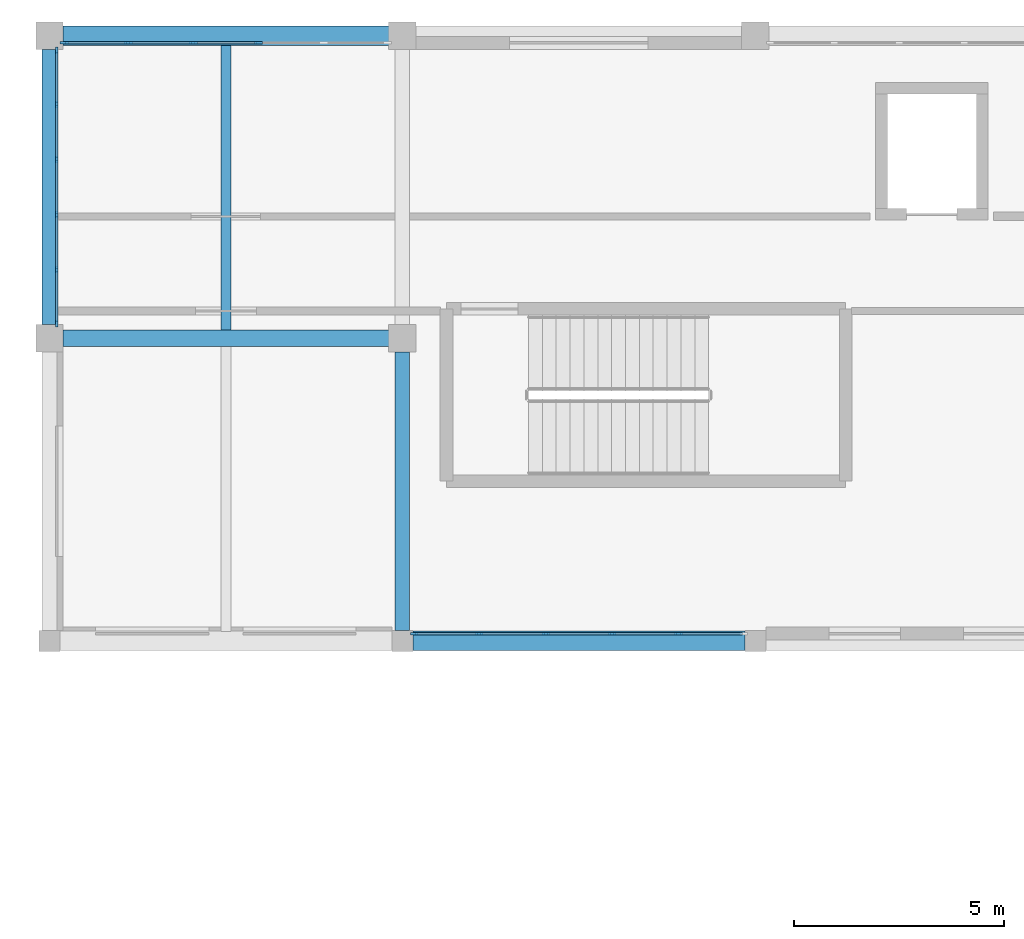
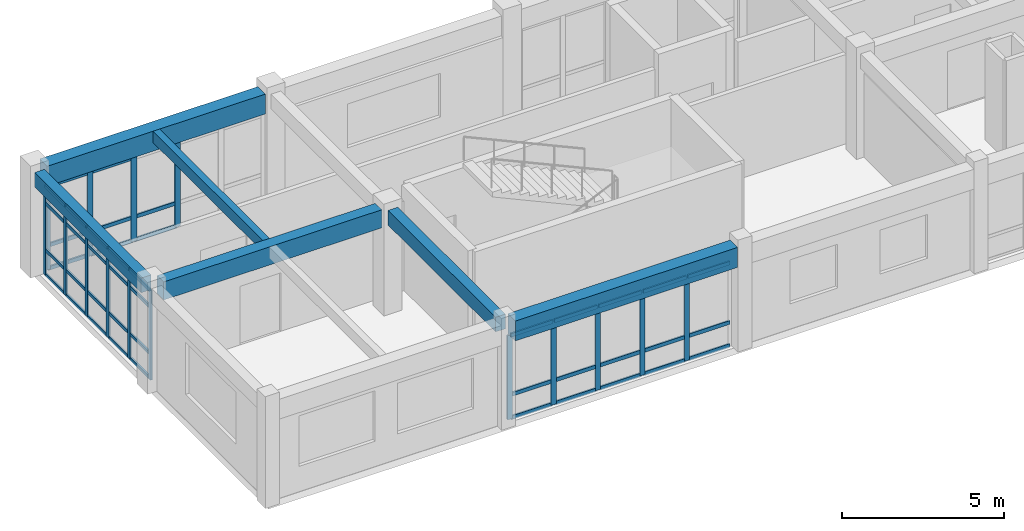
# One storey, part 34 of 89: 58 members, 6 beams, 3 elements without a shape of their own.
"""IFC4 building model written with IfcOpenShell, lengths in metres."""

import ifcopenshell
import ifcopenshell.guid

model = None  # the IFC model being written
_history = None  # IfcOwnerHistory: only IFC2X3 demands one
_inside = {}  # id of a spatial element -> (the spatial element, [elements in it])
_under = {}  # id of a project, library or spatial element -> (it, [spatial elements below it])
_declared = {}  # id of a project -> (the project, [libraries it declares])
_typed = {}  # id of a type object -> (the type object, [elements of that type])
_made_of = {}  # id of a material, layer set ... -> (it, [elements and type objects made of it])


def new_model(schema):
    """Start an empty IFC model of exactly this schema.

    Asked for "IFC4X3", IfcOpenShell would pick the latest addendum, in which some entities
    have other attributes; the version numbers below select the first issue.
    IFC2X3 requires an IfcOwnerHistory on every rooted entity: one is made here for all.
    """
    global model, _history
    if schema == "IFC4X3":
        model = ifcopenshell.file(schema_version=(4, 3, 0, 0))
    else:
        model = ifcopenshell.file(schema=schema)
    _inside.clear()
    _under.clear()
    _declared.clear()
    _typed.clear()
    _made_of.clear()
    _history = None
    if model.schema == "IFC2X3":
        org = make("IfcOrganization", Name="unknown")
        user = make(
            "IfcPersonAndOrganization",
            ThePerson=make("IfcPerson", FamilyName="unknown"),
            TheOrganization=org,
        )
        app = make(
            "IfcApplication",
            ApplicationDeveloper=org,
            Version="unknown",
            ApplicationFullName="unknown",
            ApplicationIdentifier="unknown",
        )
        _history = make(
            "IfcOwnerHistory",
            OwningUser=user,
            OwningApplication=app,
            ChangeAction="ADDED",
            CreationDate=0,
        )
    return model


def make(cls, **values):
    """One entity of the class cls with the attributes given. An attribute that is None is left unset."""
    return model.create_entity(
        cls, **{name: value for name, value in values.items() if value is not None}
    )


def rooted(cls, **values):
    """An entity with a GlobalId (a new one), such as an element, a storey or a relation."""
    return make(cls, GlobalId=ifcopenshell.guid.new(), OwnerHistory=_history, **values)


def si_unit(unit_type, name, prefix=None):
    """IfcSIUnit, for example si_unit("LENGTHUNIT", "METRE", prefix="MILLI")."""
    return make("IfcSIUnit", UnitType=unit_type, Prefix=prefix, Name=name)


def assignment(units):
    """IfcUnitAssignment: the units of a project."""
    return None if units is None else make("IfcUnitAssignment", Units=units)


def point(xyz):
    """IfcCartesianPoint."""
    return None if xyz is None else make("IfcCartesianPoint", Coordinates=xyz)


def direction(xyz):
    """IfcDirection."""
    return None if xyz is None else make("IfcDirection", DirectionRatios=xyz)


def frame(location, z_axis=None, x_axis=None):
    """IfcAxis2Placement3D, a coordinate frame: its origin and axes. An axis left out is left unset."""
    return make(
        "IfcAxis2Placement3D",
        Location=point(location),
        Axis=direction(z_axis),
        RefDirection=direction(x_axis),
    )


def frame_2d(location, x_axis=None):
    """IfcAxis2Placement2D, a coordinate frame in the plane: its origin and x axis."""
    return make(
        "IfcAxis2Placement2D", Location=point(location), RefDirection=direction(x_axis)
    )


def origin():
    """The frame at (0, 0, 0) with its axes left unset."""
    return frame((0.0, 0.0, 0.0))


def origin_2d():
    """The frame at (0, 0) in the plane with its x axis left unset."""
    return frame_2d((0.0, 0.0))


def place(relative_to, where):
    """IfcLocalPlacement: puts the frame where relative to a parent placement (None: the world)."""
    return make(
        "IfcLocalPlacement", PlacementRelTo=relative_to, RelativePlacement=where
    )


def context(
    kind, dimensions, precision=None, world=None, true_north=None, identifier=None
):
    """IfcGeometricRepresentationContext, for example the 3D "Model" context."""
    return make(
        "IfcGeometricRepresentationContext",
        ContextIdentifier=identifier,
        ContextType=kind,
        CoordinateSpaceDimension=dimensions,
        Precision=precision,
        WorldCoordinateSystem=world,
        TrueNorth=true_north,
    )


def subcontext(parent, identifier, kind, view, scale=None):
    """IfcGeometricRepresentationSubContext, for example "Body" below "Model"."""
    return make(
        "IfcGeometricRepresentationSubContext",
        ContextIdentifier=identifier,
        ContextType=kind,
        ParentContext=parent,
        TargetScale=scale,
        TargetView=view,
    )


def project(units=None, contexts=None):
    """IfcProject with its units and contexts."""
    return rooted(
        "IfcProject",
        Name="project",
        RepresentationContexts=contexts,
        UnitsInContext=assignment(units),
    )


def spatial(cls, under=None, at=None, **own):
    """A site, building, storey or space (cls), placed at a placement, below another one or the project."""
    s = rooted(cls, ObjectPlacement=at, **own)
    if under is not None:
        _under.setdefault(under.id(), (under, []))[1].append(s)
    return s


def profile(cls, at=None, kind="AREA", **sizes):
    """A parametric profile (cls). Its sizes go by their IFC names, for example OverallWidth=200.0."""
    return make(cls, ProfileType=kind, Position=at, **sizes)


def rectangle(**sizes):
    """IfcRectangleProfileDef."""
    return profile("IfcRectangleProfileDef", **sizes)


def extrude(swept, where, along, depth):
    """IfcExtrudedAreaSolid: the profile swept, set in the frame where, extruded along a direction by depth."""
    return make(
        "IfcExtrudedAreaSolid",
        SweptArea=swept,
        Position=where,
        ExtrudedDirection=direction(along),
        Depth=depth,
    )


def shape(context_of_items, identifier, shape_type, items):
    """IfcShapeRepresentation: the items that make up one representation, for example the "Body"."""
    return make(
        "IfcShapeRepresentation",
        ContextOfItems=context_of_items,
        RepresentationIdentifier=identifier,
        RepresentationType=shape_type,
        Items=items,
    )


def material(Name=None, Category=None):
    """IfcMaterial."""
    return make("IfcMaterial", Name=Name, Category=Category)


def material_profile(
    of_material, cross_section, Name=None, Category=None, Priority=None
):
    """IfcMaterialProfile: a cross section and its material."""
    return make(
        "IfcMaterialProfile",
        Name=Name,
        Material=of_material,
        Profile=cross_section,
        Priority=Priority,
        Category=Category,
    )


def profile_set(profiles, Name=None, composite=None):
    """IfcMaterialProfileSet."""
    return make(
        "IfcMaterialProfileSet",
        Name=Name,
        MaterialProfiles=profiles,
        CompositeProfile=composite,
    )


def made_of(thing, what):
    """Note that an element or type object is made of a material, layer set ...; save() writes the relation."""
    if what is not None:
        _made_of.setdefault(what.id(), (what, []))[1].append(thing)
    return thing


def type_object(cls, material=None, **own):
    """A type object (cls), such as IfcWallType, which elements share."""
    return made_of(rooted(cls, **own), material)


def element(
    cls,
    number,
    at=None,
    inside=None,
    cuts=None,
    type_object=None,
    material=None,
    context=None,
    identifier="Body",
    shape_type=None,
    held_by="IfcProductDefinitionShape",
    body=None,
    shapes=None,
    **own,
):
    """One element of the class cls, such as IfcWall. Its Tag is "e" and its number.

    at: its placement. inside: the storey or other place that contains it. cuts: it is an
    opening in that element (IfcRelVoidsElement). A single representation is given by context,
    identifier, shape_type and body (its items); several are given by shapes. held_by: the class
    of the entity that holds the representations. save() writes the other relations.
    """
    e = rooted(cls, Tag="e%d" % number, ObjectPlacement=at, **own)
    if body is not None:
        shapes = [shape(context, identifier, shape_type, body)]
    if shapes is not None:
        e.Representation = make(held_by, Representations=shapes)
    if inside is not None:
        _inside.setdefault(inside.id(), (inside, []))[1].append(e)
    if cuts is not None:
        rooted(
            "IfcRelVoidsElement", RelatingBuildingElement=cuts, RelatedOpeningElement=e
        )
    if type_object is not None:
        _typed.setdefault(type_object.id(), (type_object, []))[1].append(e)
    return made_of(e, material)


def aggregate(whole, parts):
    """IfcRelAggregates: a whole, such as a stair, and the parts it consists of."""
    return rooted("IfcRelAggregates", RelatingObject=whole, RelatedObjects=parts)


def save(model, path):
    """Write the relations noted so far, then the file.

    IfcRelAggregates (storeys below a building ...), IfcRelContainedInSpatialStructure (elements
    in a storey), IfcRelDefinesByType, IfcRelAssociatesMaterial and IfcRelDeclares: one each for
    every whole, place, type object, material and project.
    """
    for whole, parts in _under.values():
        aggregate(whole, parts)
    for where, things in _inside.values():
        rooted(
            "IfcRelContainedInSpatialStructure",
            RelatedElements=things,
            RelatingStructure=where,
        )
    for kind, things in _typed.values():
        rooted("IfcRelDefinesByType", RelatedObjects=things, RelatingType=kind)
    for what, things in _made_of.values():
        rooted("IfcRelAssociatesMaterial", RelatedObjects=things, RelatingMaterial=what)
    for by, libraries in _declared.values():
        rooted("IfcRelDeclares", RelatingContext=by, RelatedDefinitions=libraries)
    model.write(path)


model = new_model("IFC4")

# Units and contexts
model_context = context("Model", 3, precision=1e-05, world=origin(), true_north=direction((0.0, 1.0)))
body_context = subcontext(model_context, "Body", "Model", "MODEL_VIEW")
ifc_project = project(units=[si_unit("LENGTHUNIT", "METRE"), si_unit("AREAUNIT", "SQUARE_METRE"), si_unit("VOLUMEUNIT", "CUBIC_METRE"), si_unit("PLANEANGLEUNIT", "RADIAN"), si_unit("MASSUNIT", "GRAM", prefix="KILO")], contexts=[model_context])

# Site, building, storey
site_placement = place(None, origin())
site = spatial("IfcSite", under=ifc_project, at=site_placement, CompositionType="ELEMENT")
building_placement = place(site_placement, origin())
building = spatial("IfcBuilding", under=site, at=building_placement, Name="Malvenik Polytechnic", CompositionType="ELEMENT")
storey_placement = place(building_placement, frame((0.0, 0.0, 13.5)))
storey = spatial("IfcBuildingStorey", under=building, at=storey_placement, Name="L03", CompositionType="ELEMENT", Elevation=13.5)

# Curtain wall, members
ifc_material_1 = material(Name="Anodised aluminium 6060-T6", Category="aluminium")
curtain_wall_type_1 = type_object("IfcCurtainWallType", Name="ARC-CW-CW-05", PredefinedType="NOTDEFINED", material=ifc_material_1)
curtain_wall_1_placement = place(storey_placement, origin())
curtain_wall_1 = element("IfcCurtainWall", 1, at=curtain_wall_1_placement, inside=storey, type_object=curtain_wall_type_1, Name="Unitised Curtain Wall CW-05 L03 #173", PredefinedType="NOTDEFINED")
ifc_material_2 = material(Name="Anodised aluminium", Category="aluminium")
ifc_material_profile_1 = material_profile(ifc_material_2, rectangle(XDim=0.06005859375, YDim=0.159912109375, at=origin_2d()), Name="ALU MULLION 60x160")
ifc_profile_set_1 = profile_set([ifc_material_profile_1], Name="Anodised aluminium")
member_type_1 = type_object("IfcMemberType", Name="ARC-CWM-160", PredefinedType="MULLION", material=ifc_profile_set_1)
member_1_placement = place(storey_placement, frame((0.169921875, 122.7529296875, 0.0), z_axis=(0.0, 0.0, 1.0), x_axis=(-1.0, 0.0, 0.0)))
member_1 = element("IfcMember", 2, at=member_1_placement, type_object=member_type_1, Name="CW-05 mullion 1", PredefinedType="MULLION", context=body_context, shape_type="SweptSolid", body=[
    extrude(rectangle(XDim=0.06005859375, YDim=0.159912109375, at=origin_2d()), origin(), (0.0, 0.0, 1.0), 3.360107421875),
])
member_2_placement = place(storey_placement, frame((0.169921875, 124.03369140625, 0.0), z_axis=(0.0, 0.0, 1.0), x_axis=(-1.0, 0.0, 0.0)))
member_2 = element("IfcMember", 3, at=member_2_placement, type_object=member_type_1, Name="CW-05 mullion 2", PredefinedType="MULLION", context=body_context, shape_type="SweptSolid", body=[
    extrude(rectangle(XDim=0.06005859375, YDim=0.159912109375, at=origin_2d()), origin(), (0.0, 0.0, 1.0), 3.360107421875),
])
member_3_placement = place(storey_placement, frame((0.169921875, 125.344482421875, 0.0), z_axis=(0.0, 0.0, 1.0), x_axis=(-1.0, 0.0, 0.0)))
member_3 = element("IfcMember", 4, at=member_3_placement, type_object=member_type_1, Name="CW-05 mullion 3", PredefinedType="MULLION", context=body_context, shape_type="SweptSolid", body=[
    extrude(rectangle(XDim=0.06005859375, YDim=0.159912109375, at=origin_2d()), origin(), (0.0, 0.0, 1.0), 3.360107421875),
])
member_4_placement = place(storey_placement, frame((0.169921875, 126.655517578125, 0.0), z_axis=(0.0, 0.0, 1.0), x_axis=(-1.0, 0.0, 0.0)))
member_4 = element("IfcMember", 5, at=member_4_placement, type_object=member_type_1, Name="CW-05 mullion 4", PredefinedType="MULLION", context=body_context, shape_type="SweptSolid", body=[
    extrude(rectangle(XDim=0.06005859375, YDim=0.159912109375, at=origin_2d()), origin(), (0.0, 0.0, 1.0), 3.360107421875),
])
member_5_placement = place(storey_placement, frame((0.169921875, 127.96630859375, 0.0), z_axis=(0.0, 0.0, 1.0), x_axis=(-1.0, 0.0, 0.0)))
member_5 = element("IfcMember", 6, at=member_5_placement, type_object=member_type_1, Name="CW-05 mullion 5", PredefinedType="MULLION", context=body_context, shape_type="SweptSolid", body=[
    extrude(rectangle(XDim=0.06005859375, YDim=0.159912109375, at=origin_2d()), origin(), (0.0, 0.0, 1.0), 3.360107421875),
])
member_6_placement = place(storey_placement, frame((0.169921875, 129.2470703125, 0.0), z_axis=(0.0, 0.0, 1.0), x_axis=(-1.0, 0.0, 0.0)))
member_6 = element("IfcMember", 7, at=member_6_placement, type_object=member_type_1, Name="CW-05 mullion 6", PredefinedType="MULLION", context=body_context, shape_type="SweptSolid", body=[
    extrude(rectangle(XDim=0.06005859375, YDim=0.159912109375, at=origin_2d()), origin(), (0.0, 0.0, 1.0), 3.360107421875),
])

curtain_wall_type_2 = type_object("IfcCurtainWallType", Name="ARC-CW-CW-02", PredefinedType="NOTDEFINED", material=ifc_material_1)
curtain_wall_2_placement = place(storey_placement, origin())
curtain_wall_2 = element("IfcCurtainWall", 8, at=curtain_wall_2_placement, inside=storey, type_object=curtain_wall_type_2, Name="Unitised Curtain Wall CW-02 L03 #172", PredefinedType="NOTDEFINED")
ifc_material_profile_2 = material_profile(ifc_material_2, rectangle(XDim=0.06005859375, YDim=0.179931640625, at=origin_2d()), Name="ALU MULLION 60x180")
ifc_profile_set_2 = profile_set([ifc_material_profile_2], Name="Anodised aluminium")
member_type_2 = type_object("IfcMemberType", Name="ARC-CWM-180", PredefinedType="MULLION", material=ifc_profile_set_2)
member_7_placement = place(storey_placement, frame((14.97119140625, 115.3701171875, 0.0), z_axis=(0.0, 0.0, 1.0), x_axis=(0.0, -1.0, 0.0)))
member_7 = element("IfcMember", 9, at=member_7_placement, type_object=member_type_2, Name="CW-02 mullion 2", PredefinedType="MULLION", context=body_context, shape_type="SweptSolid", body=[
    extrude(rectangle(XDim=0.06005859375, YDim=0.179931640625, at=origin_2d()), origin(), (0.0, 0.0, 1.0), 3.159912109375),
])
member_8_placement = place(storey_placement, frame((13.390380859375, 115.3701171875, 0.0), z_axis=(0.0, 0.0, 1.0), x_axis=(0.0, -1.0, 0.0)))
member_8 = element("IfcMember", 10, at=member_8_placement, type_object=member_type_2, Name="CW-02 mullion 3", PredefinedType="MULLION", context=body_context, shape_type="SweptSolid", body=[
    extrude(rectangle(XDim=0.06005859375, YDim=0.179931640625, at=origin_2d()), origin(), (0.0, 0.0, 1.0), 3.159912109375),
])
member_9_placement = place(storey_placement, frame((11.8095703125, 115.3701171875, 0.0), z_axis=(0.0, 0.0, 1.0), x_axis=(0.0, -1.0, 0.0)))
member_9 = element("IfcMember", 11, at=member_9_placement, type_object=member_type_2, Name="CW-02 mullion 4", PredefinedType="MULLION", context=body_context, shape_type="SweptSolid", body=[
    extrude(rectangle(XDim=0.06005859375, YDim=0.179931640625, at=origin_2d()), origin(), (0.0, 0.0, 1.0), 3.159912109375),
])
member_10_placement = place(storey_placement, frame((10.228759765625, 115.3701171875, 0.0), z_axis=(0.0, 0.0, 1.0), x_axis=(0.0, -1.0, 0.0)))
member_10 = element("IfcMember", 12, at=member_10_placement, type_object=member_type_2, Name="CW-02 mullion 5", PredefinedType="MULLION", context=body_context, shape_type="SweptSolid", body=[
    extrude(rectangle(XDim=0.06005859375, YDim=0.179931640625, at=origin_2d()), origin(), (0.0, 0.0, 1.0), 3.159912109375),
])
member_11_placement = place(storey_placement, frame((8.677978515625, 115.3701171875, 0.0), z_axis=(0.0, 0.0, 1.0), x_axis=(0.0, -1.0, 0.0)))
member_11 = element("IfcMember", 13, at=member_11_placement, type_object=member_type_2, Name="CW-02 mullion 6", PredefinedType="MULLION", context=body_context, shape_type="SweptSolid", body=[
    extrude(rectangle(XDim=0.06005859375, YDim=0.179931640625, at=origin_2d()), origin(), (0.0, 0.0, 1.0), 3.159912109375),
])

curtain_wall_3_placement = place(storey_placement, origin())
curtain_wall_3 = element("IfcCurtainWall", 14, at=curtain_wall_3_placement, inside=storey, type_object=curtain_wall_type_2, Name="Unitised Curtain Wall CW-02 L03 #174", PredefinedType="NOTDEFINED")
ifc_material_profile_3 = material_profile(ifc_material_2, rectangle(XDim=0.06005859375, YDim=0.199951171875, at=origin_2d()), Name="ALU MULLION 60x200")
ifc_profile_set_3 = profile_set([ifc_material_profile_3], Name="Anodised aluminium")
member_type_3 = type_object("IfcMemberType", Name="ARC-CWM-200", PredefinedType="MULLION", material=ifc_profile_set_3)
member_12_placement = place(storey_placement, frame((0.35302734375, 129.429931640625, 0.0), z_axis=(0.0, 0.0, 1.0), x_axis=(0.0, 1.0, 0.0)))
member_12 = element("IfcMember", 15, at=member_12_placement, type_object=member_type_3, Name="CW-02 mullion 1", PredefinedType="MULLION", context=body_context, shape_type="SweptSolid", body=[
    extrude(rectangle(XDim=0.06005859375, YDim=0.199951171875, at=origin_2d()), origin(), (0.0, 0.0, 1.0), 3.159912109375),
])
member_13_placement = place(storey_placement, frame((1.873779296875, 129.429931640625, 0.0), z_axis=(0.0, 0.0, 1.0), x_axis=(0.0, 1.0, 0.0)))
member_13 = element("IfcMember", 16, at=member_13_placement, type_object=member_type_3, Name="CW-02 mullion 2", PredefinedType="MULLION", context=body_context, shape_type="SweptSolid", body=[
    extrude(rectangle(XDim=0.06005859375, YDim=0.199951171875, at=origin_2d()), origin(), (0.0, 0.0, 1.0), 3.159912109375),
])
member_14_placement = place(storey_placement, frame((3.424560546875, 129.429931640625, 0.0), z_axis=(0.0, 0.0, 1.0), x_axis=(0.0, 1.0, 0.0)))
member_14 = element("IfcMember", 17, at=member_14_placement, type_object=member_type_3, Name="CW-02 mullion 3", PredefinedType="MULLION", context=body_context, shape_type="SweptSolid", body=[
    extrude(rectangle(XDim=0.06005859375, YDim=0.199951171875, at=origin_2d()), origin(), (0.0, 0.0, 1.0), 3.159912109375),
])
member_15_placement = place(storey_placement, frame((4.975341796875, 129.429931640625, 0.0), z_axis=(0.0, 0.0, 1.0), x_axis=(0.0, 1.0, 0.0)))
member_15 = element("IfcMember", 18, at=member_15_placement, type_object=member_type_3, Name="CW-02 mullion 4", PredefinedType="MULLION", context=body_context, shape_type="SweptSolid", body=[
    extrude(rectangle(XDim=0.06005859375, YDim=0.199951171875, at=origin_2d()), origin(), (0.0, 0.0, 1.0), 3.159912109375),
])

# Member
ifc_material_profile_4 = material_profile(ifc_material_2, rectangle(XDim=0.06005859375, YDim=0.1201171875, at=origin_2d()), Name="ALU TRANSOM 60x120")
ifc_profile_set_4 = profile_set([ifc_material_profile_4], Name="Anodised aluminium")
member_type_4 = type_object("IfcMemberType", Name="ARC-CWT-120", PredefinedType="USERDEFINED", material=ifc_profile_set_4)
member_16_placement = place(storey_placement, frame((0.169921875, 122.782958984375, 0.030029296875), z_axis=(0.0, 1.0, 0.0), x_axis=(-1.0, 0.0, 0.0)))
member_16 = element("IfcMember", 19, at=member_16_placement, type_object=member_type_4, Name="CW-05 transom 1.1", ObjectType="TRANSOM", PredefinedType="USERDEFINED", context=body_context, shape_type="SweptSolid", body=[
    extrude(rectangle(XDim=0.06005859375, YDim=0.1201171875, at=origin_2d()), origin(), (0.0, 0.0, 1.0), 1.220947265625),
])

member_17_placement = place(storey_placement, frame((0.169921875, 122.782958984375, 0.949951171875), z_axis=(0.0, 1.0, 0.0), x_axis=(-1.0, 0.0, 0.0)))
member_17 = element("IfcMember", 20, at=member_17_placement, type_object=member_type_4, Name="CW-05 transom 1.2", ObjectType="TRANSOM", PredefinedType="USERDEFINED", context=body_context, shape_type="SweptSolid", body=[
    extrude(rectangle(XDim=0.06005859375, YDim=0.1201171875, at=origin_2d()), origin(), (0.0, 0.0, 1.0), 1.220947265625),
])

member_18_placement = place(storey_placement, frame((0.169921875, 122.782958984375, 2.7099609375), z_axis=(0.0, 1.0, 0.0), x_axis=(-1.0, 0.0, 0.0)))
member_18 = element("IfcMember", 21, at=member_18_placement, type_object=member_type_4, Name="CW-05 transom 1.3", ObjectType="TRANSOM", PredefinedType="USERDEFINED", context=body_context, shape_type="SweptSolid", body=[
    extrude(rectangle(XDim=0.06005859375, YDim=0.1201171875, at=origin_2d()), origin(), (0.0, 0.0, 1.0), 1.220947265625),
])

member_19_placement = place(storey_placement, frame((0.169921875, 122.782958984375, 3.330078125), z_axis=(0.0, 1.0, 0.0), x_axis=(-1.0, 0.0, 0.0)))
member_19 = element("IfcMember", 22, at=member_19_placement, type_object=member_type_4, Name="CW-05 transom 1.4", ObjectType="TRANSOM", PredefinedType="USERDEFINED", context=body_context, shape_type="SweptSolid", body=[
    extrude(rectangle(XDim=0.06005859375, YDim=0.1201171875, at=origin_2d()), origin(), (0.0, 0.0, 1.0), 1.220947265625),
])

member_20_placement = place(storey_placement, frame((0.169921875, 124.063720703125, 0.030029296875), z_axis=(0.0, 1.0, 0.0), x_axis=(-1.0, 0.0, 0.0)))
member_20 = element("IfcMember", 23, at=member_20_placement, type_object=member_type_4, Name="CW-05 transom 2.1", ObjectType="TRANSOM", PredefinedType="USERDEFINED", context=body_context, shape_type="SweptSolid", body=[
    extrude(rectangle(XDim=0.06005859375, YDim=0.1201171875, at=origin_2d()), origin(), (0.0, 0.0, 1.0), 1.2509765625),
])

member_21_placement = place(storey_placement, frame((0.169921875, 124.063720703125, 0.949951171875), z_axis=(0.0, 1.0, 0.0), x_axis=(-1.0, 0.0, 0.0)))
member_21 = element("IfcMember", 24, at=member_21_placement, type_object=member_type_4, Name="CW-05 transom 2.2", ObjectType="TRANSOM", PredefinedType="USERDEFINED", context=body_context, shape_type="SweptSolid", body=[
    extrude(rectangle(XDim=0.06005859375, YDim=0.1201171875, at=origin_2d()), origin(), (0.0, 0.0, 1.0), 1.2509765625),
])

member_22_placement = place(storey_placement, frame((0.169921875, 124.063720703125, 2.7099609375), z_axis=(0.0, 1.0, 0.0), x_axis=(-1.0, 0.0, 0.0)))
member_22 = element("IfcMember", 25, at=member_22_placement, type_object=member_type_4, Name="CW-05 transom 2.3", ObjectType="TRANSOM", PredefinedType="USERDEFINED", context=body_context, shape_type="SweptSolid", body=[
    extrude(rectangle(XDim=0.06005859375, YDim=0.1201171875, at=origin_2d()), origin(), (0.0, 0.0, 1.0), 1.2509765625),
])

member_23_placement = place(storey_placement, frame((0.169921875, 124.063720703125, 3.330078125), z_axis=(0.0, 1.0, 0.0), x_axis=(-1.0, 0.0, 0.0)))
member_23 = element("IfcMember", 26, at=member_23_placement, type_object=member_type_4, Name="CW-05 transom 2.4", ObjectType="TRANSOM", PredefinedType="USERDEFINED", context=body_context, shape_type="SweptSolid", body=[
    extrude(rectangle(XDim=0.06005859375, YDim=0.1201171875, at=origin_2d()), origin(), (0.0, 0.0, 1.0), 1.2509765625),
])

member_24_placement = place(storey_placement, frame((0.169921875, 125.37451171875, 0.030029296875), z_axis=(0.0, 1.0, 0.0), x_axis=(-1.0, 0.0, 0.0)))
member_24 = element("IfcMember", 27, at=member_24_placement, type_object=member_type_4, Name="CW-05 transom 3.1", ObjectType="TRANSOM", PredefinedType="USERDEFINED", context=body_context, shape_type="SweptSolid", body=[
    extrude(rectangle(XDim=0.06005859375, YDim=0.1201171875, at=origin_2d()), origin(), (0.0, 0.0, 1.0), 1.2509765625),
])

member_25_placement = place(storey_placement, frame((0.169921875, 125.37451171875, 0.949951171875), z_axis=(0.0, 1.0, 0.0), x_axis=(-1.0, 0.0, 0.0)))
member_25 = element("IfcMember", 28, at=member_25_placement, type_object=member_type_4, Name="CW-05 transom 3.2", ObjectType="TRANSOM", PredefinedType="USERDEFINED", context=body_context, shape_type="SweptSolid", body=[
    extrude(rectangle(XDim=0.06005859375, YDim=0.1201171875, at=origin_2d()), origin(), (0.0, 0.0, 1.0), 1.2509765625),
])

member_26_placement = place(storey_placement, frame((0.169921875, 125.37451171875, 2.7099609375), z_axis=(0.0, 1.0, 0.0), x_axis=(-1.0, 0.0, 0.0)))
member_26 = element("IfcMember", 29, at=member_26_placement, type_object=member_type_4, Name="CW-05 transom 3.3", ObjectType="TRANSOM", PredefinedType="USERDEFINED", context=body_context, shape_type="SweptSolid", body=[
    extrude(rectangle(XDim=0.06005859375, YDim=0.1201171875, at=origin_2d()), origin(), (0.0, 0.0, 1.0), 1.2509765625),
])

member_27_placement = place(storey_placement, frame((0.169921875, 125.37451171875, 3.330078125), z_axis=(0.0, 1.0, 0.0), x_axis=(-1.0, 0.0, 0.0)))
member_27 = element("IfcMember", 30, at=member_27_placement, type_object=member_type_4, Name="CW-05 transom 3.4", ObjectType="TRANSOM", PredefinedType="USERDEFINED", context=body_context, shape_type="SweptSolid", body=[
    extrude(rectangle(XDim=0.06005859375, YDim=0.1201171875, at=origin_2d()), origin(), (0.0, 0.0, 1.0), 1.2509765625),
])

member_28_placement = place(storey_placement, frame((0.169921875, 126.685302734375, 0.030029296875), z_axis=(0.0, 1.0, 0.0), x_axis=(-1.0, 0.0, 0.0)))
member_28 = element("IfcMember", 31, at=member_28_placement, type_object=member_type_4, Name="CW-05 transom 4.1", ObjectType="TRANSOM", PredefinedType="USERDEFINED", context=body_context, shape_type="SweptSolid", body=[
    extrude(rectangle(XDim=0.06005859375, YDim=0.1201171875, at=origin_2d()), origin(), (0.0, 0.0, 1.0), 1.2509765625),
])

member_29_placement = place(storey_placement, frame((0.169921875, 126.685302734375, 0.949951171875), z_axis=(0.0, 1.0, 0.0), x_axis=(-1.0, 0.0, 0.0)))
member_29 = element("IfcMember", 32, at=member_29_placement, type_object=member_type_4, Name="CW-05 transom 4.2", ObjectType="TRANSOM", PredefinedType="USERDEFINED", context=body_context, shape_type="SweptSolid", body=[
    extrude(rectangle(XDim=0.06005859375, YDim=0.1201171875, at=origin_2d()), origin(), (0.0, 0.0, 1.0), 1.2509765625),
])

member_30_placement = place(storey_placement, frame((0.169921875, 126.685302734375, 2.7099609375), z_axis=(0.0, 1.0, 0.0), x_axis=(-1.0, 0.0, 0.0)))
member_30 = element("IfcMember", 33, at=member_30_placement, type_object=member_type_4, Name="CW-05 transom 4.3", ObjectType="TRANSOM", PredefinedType="USERDEFINED", context=body_context, shape_type="SweptSolid", body=[
    extrude(rectangle(XDim=0.06005859375, YDim=0.1201171875, at=origin_2d()), origin(), (0.0, 0.0, 1.0), 1.2509765625),
])

member_31_placement = place(storey_placement, frame((0.169921875, 126.685302734375, 3.330078125), z_axis=(0.0, 1.0, 0.0), x_axis=(-1.0, 0.0, 0.0)))
member_31 = element("IfcMember", 34, at=member_31_placement, type_object=member_type_4, Name="CW-05 transom 4.4", ObjectType="TRANSOM", PredefinedType="USERDEFINED", context=body_context, shape_type="SweptSolid", body=[
    extrude(rectangle(XDim=0.06005859375, YDim=0.1201171875, at=origin_2d()), origin(), (0.0, 0.0, 1.0), 1.2509765625),
])

member_32_placement = place(storey_placement, frame((0.169921875, 127.99609375, 0.030029296875), z_axis=(0.0, 1.0, 0.0), x_axis=(-1.0, 0.0, 0.0)))
member_32 = element("IfcMember", 35, at=member_32_placement, type_object=member_type_4, Name="CW-05 transom 5.1", ObjectType="TRANSOM", PredefinedType="USERDEFINED", context=body_context, shape_type="SweptSolid", body=[
    extrude(rectangle(XDim=0.06005859375, YDim=0.1201171875, at=origin_2d()), origin(), (0.0, 0.0, 1.0), 1.220947265625),
])

member_33_placement = place(storey_placement, frame((0.169921875, 127.99609375, 0.949951171875), z_axis=(0.0, 1.0, 0.0), x_axis=(-1.0, 0.0, 0.0)))
member_33 = element("IfcMember", 36, at=member_33_placement, type_object=member_type_4, Name="CW-05 transom 5.2", ObjectType="TRANSOM", PredefinedType="USERDEFINED", context=body_context, shape_type="SweptSolid", body=[
    extrude(rectangle(XDim=0.06005859375, YDim=0.1201171875, at=origin_2d()), origin(), (0.0, 0.0, 1.0), 1.220947265625),
])

member_34_placement = place(storey_placement, frame((0.169921875, 127.99609375, 2.7099609375), z_axis=(0.0, 1.0, 0.0), x_axis=(-1.0, 0.0, 0.0)))
member_34 = element("IfcMember", 37, at=member_34_placement, type_object=member_type_4, Name="CW-05 transom 5.3", ObjectType="TRANSOM", PredefinedType="USERDEFINED", context=body_context, shape_type="SweptSolid", body=[
    extrude(rectangle(XDim=0.06005859375, YDim=0.1201171875, at=origin_2d()), origin(), (0.0, 0.0, 1.0), 1.220947265625),
])

member_35_placement = place(storey_placement, frame((0.169921875, 127.99609375, 3.330078125), z_axis=(0.0, 1.0, 0.0), x_axis=(-1.0, 0.0, 0.0)))
member_35 = element("IfcMember", 38, at=member_35_placement, type_object=member_type_4, Name="CW-05 transom 5.4", ObjectType="TRANSOM", PredefinedType="USERDEFINED", context=body_context, shape_type="SweptSolid", body=[
    extrude(rectangle(XDim=0.06005859375, YDim=0.1201171875, at=origin_2d()), origin(), (0.0, 0.0, 1.0), 1.220947265625),
])

aggregate(curtain_wall_1, [member_1, member_2, member_3, member_4, member_5, member_6, member_16, member_17, member_18, member_19, member_20, member_21, member_22, member_23, member_24, member_25, member_26, member_27, member_28, member_29, member_30, member_31, member_32, member_33, member_34, member_35])

ifc_material_profile_5 = material_profile(ifc_material_2, rectangle(XDim=0.06005859375, YDim=0.139892578125, at=origin_2d()), Name="ALU TRANSOM 60x140")
ifc_profile_set_5 = profile_set([ifc_material_profile_5], Name="Anodised aluminium")
member_type_5 = type_object("IfcMemberType", Name="ARC-CWT-140", PredefinedType="USERDEFINED", material=ifc_profile_set_5)
member_36_placement = place(storey_placement, frame((16.491943359375, 115.3701171875, 0.030029296875), z_axis=(-1.0, 0.0, 0.0), x_axis=(0.0, -1.0, 0.0)))
member_36 = element("IfcMember", 39, at=member_36_placement, type_object=member_type_5, Name="CW-02 transom 1.1", ObjectType="TRANSOM", PredefinedType="USERDEFINED", context=body_context, shape_type="SweptSolid", body=[
    extrude(rectangle(XDim=0.06005859375, YDim=0.139892578125, at=origin_2d()), origin(), (0.0, 0.0, 1.0), 1.49072265625),
])

member_37_placement = place(storey_placement, frame((16.491943359375, 115.3701171875, 0.89990234375), z_axis=(-1.0, 0.0, 0.0), x_axis=(0.0, -1.0, 0.0)))
member_37 = element("IfcMember", 40, at=member_37_placement, type_object=member_type_5, Name="CW-02 transom 1.2", ObjectType="TRANSOM", PredefinedType="USERDEFINED", context=body_context, shape_type="SweptSolid", body=[
    extrude(rectangle(XDim=0.06005859375, YDim=0.139892578125, at=origin_2d()), origin(), (0.0, 0.0, 1.0), 1.49072265625),
])

member_38_placement = place(storey_placement, frame((16.491943359375, 115.3701171875, 3.1298828125), z_axis=(-1.0, 0.0, 0.0), x_axis=(0.0, -1.0, 0.0)))
member_38 = element("IfcMember", 41, at=member_38_placement, type_object=member_type_5, Name="CW-02 transom 1.3", ObjectType="TRANSOM", PredefinedType="USERDEFINED", context=body_context, shape_type="SweptSolid", body=[
    extrude(rectangle(XDim=0.06005859375, YDim=0.139892578125, at=origin_2d()), origin(), (0.0, 0.0, 1.0), 1.49072265625),
])

member_39_placement = place(storey_placement, frame((14.941162109375, 115.3701171875, 0.030029296875), z_axis=(-1.0, 0.0, 0.0), x_axis=(0.0, -1.0, 0.0)))
member_39 = element("IfcMember", 42, at=member_39_placement, type_object=member_type_5, Name="CW-02 transom 2.1", ObjectType="TRANSOM", PredefinedType="USERDEFINED", context=body_context, shape_type="SweptSolid", body=[
    extrude(rectangle(XDim=0.06005859375, YDim=0.139892578125, at=origin_2d()), origin(), (0.0, 0.0, 1.0), 1.520751953125),
])

member_40_placement = place(storey_placement, frame((14.941162109375, 115.3701171875, 0.89990234375), z_axis=(-1.0, 0.0, 0.0), x_axis=(0.0, -1.0, 0.0)))
member_40 = element("IfcMember", 43, at=member_40_placement, type_object=member_type_5, Name="CW-02 transom 2.2", ObjectType="TRANSOM", PredefinedType="USERDEFINED", context=body_context, shape_type="SweptSolid", body=[
    extrude(rectangle(XDim=0.06005859375, YDim=0.139892578125, at=origin_2d()), origin(), (0.0, 0.0, 1.0), 1.520751953125),
])

member_41_placement = place(storey_placement, frame((14.941162109375, 115.3701171875, 3.1298828125), z_axis=(-1.0, 0.0, 0.0), x_axis=(0.0, -1.0, 0.0)))
member_41 = element("IfcMember", 44, at=member_41_placement, type_object=member_type_5, Name="CW-02 transom 2.3", ObjectType="TRANSOM", PredefinedType="USERDEFINED", context=body_context, shape_type="SweptSolid", body=[
    extrude(rectangle(XDim=0.06005859375, YDim=0.139892578125, at=origin_2d()), origin(), (0.0, 0.0, 1.0), 1.520751953125),
])

member_42_placement = place(storey_placement, frame((13.3603515625, 115.3701171875, 0.030029296875), z_axis=(-1.0, 0.0, 0.0), x_axis=(0.0, -1.0, 0.0)))
member_42 = element("IfcMember", 45, at=member_42_placement, type_object=member_type_5, Name="CW-02 transom 3.1", ObjectType="TRANSOM", PredefinedType="USERDEFINED", context=body_context, shape_type="SweptSolid", body=[
    extrude(rectangle(XDim=0.06005859375, YDim=0.139892578125, at=origin_2d()), origin(), (0.0, 0.0, 1.0), 1.520751953125),
])

member_43_placement = place(storey_placement, frame((13.3603515625, 115.3701171875, 0.89990234375), z_axis=(-1.0, 0.0, 0.0), x_axis=(0.0, -1.0, 0.0)))
member_43 = element("IfcMember", 46, at=member_43_placement, type_object=member_type_5, Name="CW-02 transom 3.2", ObjectType="TRANSOM", PredefinedType="USERDEFINED", context=body_context, shape_type="SweptSolid", body=[
    extrude(rectangle(XDim=0.06005859375, YDim=0.139892578125, at=origin_2d()), origin(), (0.0, 0.0, 1.0), 1.520751953125),
])

member_44_placement = place(storey_placement, frame((13.3603515625, 115.3701171875, 3.1298828125), z_axis=(-1.0, 0.0, 0.0), x_axis=(0.0, -1.0, 0.0)))
member_44 = element("IfcMember", 47, at=member_44_placement, type_object=member_type_5, Name="CW-02 transom 3.3", ObjectType="TRANSOM", PredefinedType="USERDEFINED", context=body_context, shape_type="SweptSolid", body=[
    extrude(rectangle(XDim=0.06005859375, YDim=0.139892578125, at=origin_2d()), origin(), (0.0, 0.0, 1.0), 1.520751953125),
])

member_45_placement = place(storey_placement, frame((11.779541015625, 115.3701171875, 0.030029296875), z_axis=(-1.0, 0.0, 0.0), x_axis=(0.0, -1.0, 0.0)))
member_45 = element("IfcMember", 48, at=member_45_placement, type_object=member_type_5, Name="CW-02 transom 4.1", ObjectType="TRANSOM", PredefinedType="USERDEFINED", context=body_context, shape_type="SweptSolid", body=[
    extrude(rectangle(XDim=0.06005859375, YDim=0.139892578125, at=origin_2d()), origin(), (0.0, 0.0, 1.0), 1.520751953125),
])

member_46_placement = place(storey_placement, frame((11.779541015625, 115.3701171875, 0.89990234375), z_axis=(-1.0, 0.0, 0.0), x_axis=(0.0, -1.0, 0.0)))
member_46 = element("IfcMember", 49, at=member_46_placement, type_object=member_type_5, Name="CW-02 transom 4.2", ObjectType="TRANSOM", PredefinedType="USERDEFINED", context=body_context, shape_type="SweptSolid", body=[
    extrude(rectangle(XDim=0.06005859375, YDim=0.139892578125, at=origin_2d()), origin(), (0.0, 0.0, 1.0), 1.520751953125),
])

member_47_placement = place(storey_placement, frame((11.779541015625, 115.3701171875, 3.1298828125), z_axis=(-1.0, 0.0, 0.0), x_axis=(0.0, -1.0, 0.0)))
member_47 = element("IfcMember", 50, at=member_47_placement, type_object=member_type_5, Name="CW-02 transom 4.3", ObjectType="TRANSOM", PredefinedType="USERDEFINED", context=body_context, shape_type="SweptSolid", body=[
    extrude(rectangle(XDim=0.06005859375, YDim=0.139892578125, at=origin_2d()), origin(), (0.0, 0.0, 1.0), 1.520751953125),
])

member_48_placement = place(storey_placement, frame((10.19873046875, 115.3701171875, 0.030029296875), z_axis=(-1.0, 0.0, 0.0), x_axis=(0.0, -1.0, 0.0)))
member_48 = element("IfcMember", 51, at=member_48_placement, type_object=member_type_5, Name="CW-02 transom 5.1", ObjectType="TRANSOM", PredefinedType="USERDEFINED", context=body_context, shape_type="SweptSolid", body=[
    extrude(rectangle(XDim=0.06005859375, YDim=0.139892578125, at=origin_2d()), origin(), (0.0, 0.0, 1.0), 1.49072265625),
])

member_49_placement = place(storey_placement, frame((10.19873046875, 115.3701171875, 0.89990234375), z_axis=(-1.0, 0.0, 0.0), x_axis=(0.0, -1.0, 0.0)))
member_49 = element("IfcMember", 52, at=member_49_placement, type_object=member_type_5, Name="CW-02 transom 5.2", ObjectType="TRANSOM", PredefinedType="USERDEFINED", context=body_context, shape_type="SweptSolid", body=[
    extrude(rectangle(XDim=0.06005859375, YDim=0.139892578125, at=origin_2d()), origin(), (0.0, 0.0, 1.0), 1.49072265625),
])

member_50_placement = place(storey_placement, frame((10.19873046875, 115.3701171875, 3.1298828125), z_axis=(-1.0, 0.0, 0.0), x_axis=(0.0, -1.0, 0.0)))
member_50 = element("IfcMember", 53, at=member_50_placement, type_object=member_type_5, Name="CW-02 transom 5.3", ObjectType="TRANSOM", PredefinedType="USERDEFINED", context=body_context, shape_type="SweptSolid", body=[
    extrude(rectangle(XDim=0.06005859375, YDim=0.139892578125, at=origin_2d()), origin(), (0.0, 0.0, 1.0), 1.49072265625),
])

aggregate(curtain_wall_2, [member_7, member_8, member_9, member_10, member_11, member_36, member_37, member_38, member_39, member_40, member_41, member_42, member_43, member_44, member_45, member_46, member_47, member_48, member_49, member_50])

member_51_placement = place(storey_placement, frame((0.383056640625, 129.429931640625, 0.030029296875), z_axis=(1.0, 0.0, 0.0), x_axis=(0.0, 1.0, 0.0)))
member_51 = element("IfcMember", 54, at=member_51_placement, type_object=member_type_5, Name="CW-02 transom 1.1", ObjectType="TRANSOM", PredefinedType="USERDEFINED", context=body_context, shape_type="SweptSolid", body=[
    extrude(rectangle(XDim=0.06005859375, YDim=0.139892578125, at=origin_2d()), origin(), (0.0, 0.0, 1.0), 1.460693359375),
])

member_52_placement = place(storey_placement, frame((0.383056640625, 129.429931640625, 0.89990234375), z_axis=(1.0, 0.0, 0.0), x_axis=(0.0, 1.0, 0.0)))
member_52 = element("IfcMember", 55, at=member_52_placement, type_object=member_type_5, Name="CW-02 transom 1.2", ObjectType="TRANSOM", PredefinedType="USERDEFINED", context=body_context, shape_type="SweptSolid", body=[
    extrude(rectangle(XDim=0.06005859375, YDim=0.139892578125, at=origin_2d()), origin(), (0.0, 0.0, 1.0), 1.460693359375),
])

member_53_placement = place(storey_placement, frame((0.383056640625, 129.429931640625, 3.1298828125), z_axis=(1.0, 0.0, 0.0), x_axis=(0.0, 1.0, 0.0)))
member_53 = element("IfcMember", 56, at=member_53_placement, type_object=member_type_5, Name="CW-02 transom 1.3", ObjectType="TRANSOM", PredefinedType="USERDEFINED", context=body_context, shape_type="SweptSolid", body=[
    extrude(rectangle(XDim=0.06005859375, YDim=0.139892578125, at=origin_2d()), origin(), (0.0, 0.0, 1.0), 1.460693359375),
])

member_54_placement = place(storey_placement, frame((1.90380859375, 129.429931640625, 0.030029296875), z_axis=(1.0, 0.0, 0.0), x_axis=(0.0, 1.0, 0.0)))
member_54 = element("IfcMember", 57, at=member_54_placement, type_object=member_type_5, Name="CW-02 transom 2.1", ObjectType="TRANSOM", PredefinedType="USERDEFINED", context=body_context, shape_type="SweptSolid", body=[
    extrude(rectangle(XDim=0.06005859375, YDim=0.139892578125, at=origin_2d()), origin(), (0.0, 0.0, 1.0), 1.49072265625),
])

member_55_placement = place(storey_placement, frame((1.90380859375, 129.429931640625, 0.89990234375), z_axis=(1.0, 0.0, 0.0), x_axis=(0.0, 1.0, 0.0)))
member_55 = element("IfcMember", 58, at=member_55_placement, type_object=member_type_5, Name="CW-02 transom 2.2", ObjectType="TRANSOM", PredefinedType="USERDEFINED", context=body_context, shape_type="SweptSolid", body=[
    extrude(rectangle(XDim=0.06005859375, YDim=0.139892578125, at=origin_2d()), origin(), (0.0, 0.0, 1.0), 1.49072265625),
])

member_56_placement = place(storey_placement, frame((1.90380859375, 129.429931640625, 3.1298828125), z_axis=(1.0, 0.0, 0.0), x_axis=(0.0, 1.0, 0.0)))
member_56 = element("IfcMember", 59, at=member_56_placement, type_object=member_type_5, Name="CW-02 transom 2.3", ObjectType="TRANSOM", PredefinedType="USERDEFINED", context=body_context, shape_type="SweptSolid", body=[
    extrude(rectangle(XDim=0.06005859375, YDim=0.139892578125, at=origin_2d()), origin(), (0.0, 0.0, 1.0), 1.49072265625),
])

member_57_placement = place(storey_placement, frame((3.45458984375, 129.429931640625, 0.030029296875), z_axis=(1.0, 0.0, 0.0), x_axis=(0.0, 1.0, 0.0)))
member_57 = element("IfcMember", 60, at=member_57_placement, type_object=member_type_5, Name="CW-02 transom 3.1", ObjectType="TRANSOM", PredefinedType="USERDEFINED", context=body_context, shape_type="SweptSolid", body=[
    extrude(rectangle(XDim=0.06005859375, YDim=0.139892578125, at=origin_2d()), origin(), (0.0, 0.0, 1.0), 1.49072265625),
])

member_58_placement = place(storey_placement, frame((3.45458984375, 129.429931640625, 0.89990234375), z_axis=(1.0, 0.0, 0.0), x_axis=(0.0, 1.0, 0.0)))
member_58 = element("IfcMember", 61, at=member_58_placement, type_object=member_type_5, Name="CW-02 transom 3.2", ObjectType="TRANSOM", PredefinedType="USERDEFINED", context=body_context, shape_type="SweptSolid", body=[
    extrude(rectangle(XDim=0.06005859375, YDim=0.139892578125, at=origin_2d()), origin(), (0.0, 0.0, 1.0), 1.49072265625),
])

aggregate(curtain_wall_3, [member_12, member_13, member_14, member_15, member_51, member_52, member_53, member_54, member_55, member_56, member_57, member_58])

# Beams
ifc_material_3 = material(Name="Concrete C35/45", Category="concrete")
ifc_material_profile_6 = material_profile(ifc_material_3, rectangle(XDim=0.39990234375, YDim=0.679931640625, at=origin_2d()), Name="RC BM 400x680")
ifc_profile_set_6 = profile_set([ifc_material_profile_6], Name="Concrete C35/45")
beam_type_1 = type_object("IfcBeamType", Name="STR-BM-B-05", PredefinedType="BEAM", material=ifc_profile_set_6)
beam_1_placement = place(storey_placement, frame((0.322998046875, 122.39990234375, 3.580078125), z_axis=(1.0, 0.0, 0.0), x_axis=(0.0, 1.0, 0.0)))
element("IfcBeam", 62, at=beam_1_placement, inside=storey, type_object=beam_type_1, Name="Primary Beam B-05 L03 #1693", PredefinedType="BEAM", context=body_context, shape_type="SweptSolid", body=[
    extrude(rectangle(XDim=0.39990234375, YDim=0.679931640625, at=origin_2d()), origin(), (0.0, 0.0, 1.0), 7.75390625),
])
ifc_material_profile_7 = material_profile(ifc_material_3, rectangle(XDim=0.35009765625, YDim=0.550048828125, at=origin_2d()), Name="RC BM 350x550")
ifc_profile_set_7 = profile_set([ifc_material_profile_7], Name="Concrete C35/45")
beam_type_2 = type_object("IfcBeamType", Name="STR-BM-B-08", PredefinedType="BEAM", material=ifc_profile_set_7)
beam_2_placement = place(storey_placement, frame((0.0, 122.722900390625, 3.64501953125), z_axis=(0.0, 1.0, 0.0), x_axis=(-1.0, 0.0, 0.0)))
element("IfcBeam", 63, at=beam_2_placement, inside=storey, type_object=beam_type_2, Name="Transverse Beam B-08 L03 #1722", PredefinedType="BEAM", context=body_context, shape_type="SweptSolid", body=[
    extrude(rectangle(XDim=0.35009765625, YDim=0.550048828125, at=origin_2d()), origin(), (0.0, 0.0, 1.0), 6.55419921875),
])
beam_3_placement = place(storey_placement, frame((8.39990234375, 115.447998046875, 3.64501953125), z_axis=(0.0, 1.0, 0.0), x_axis=(-1.0, 0.0, 0.0)))
element("IfcBeam", 64, at=beam_3_placement, inside=storey, type_object=beam_type_2, Name="Transverse Beam B-08 L03 #1726", PredefinedType="BEAM", context=body_context, shape_type="SweptSolid", body=[
    extrude(rectangle(XDim=0.35009765625, YDim=0.550048828125, at=origin_2d()), origin(), (0.0, 0.0, 1.0), 6.62890625),
])
ifc_material_4 = material(Name="Concrete C30/37", Category="concrete")
ifc_material_profile_8 = material_profile(ifc_material_4, rectangle(XDim=0.239990234375, YDim=0.419921875, at=origin_2d()), Name="RC JST 240x420")
ifc_profile_set_8 = profile_set([ifc_material_profile_8], Name="Concrete C30/37")
beam_type_3 = type_object("IfcBeamType", Name="STR-BM-J-03", PredefinedType="JOIST", material=ifc_profile_set_8)
beam_4_placement = place(storey_placement, frame((4.199951171875, 122.597900390625, 3.7099609375), z_axis=(0.0, 1.0, 0.0), x_axis=(-1.0, 0.0, 0.0)))
element("IfcBeam", 65, at=beam_4_placement, inside=storey, type_object=beam_type_3, Name="Secondary Rib Joist J-03 L03 #1786", PredefinedType="JOIST", context=body_context, shape_type="SweptSolid", body=[
    extrude(rectangle(XDim=0.239990234375, YDim=0.419921875, at=origin_2d()), origin(), (0.0, 0.0, 1.0), 6.774169921875),
])
ifc_material_5 = material(Name="Precast concrete C40/50", Category="concrete")
ifc_material_profile_9 = material_profile(ifc_material_5, rectangle(XDim=0.4599609375, YDim=0.75, at=origin_2d()), Name="PC SPN 460x750")
ifc_profile_set_9 = profile_set([ifc_material_profile_9], Name="Precast concrete C40/50")
beam_type_4 = type_object("IfcBeamType", Name="STR-BM-SP-02", PredefinedType="SPANDREL", material=ifc_profile_set_9)
beam_5_placement = place(storey_placement, frame((8.64794921875, 115.199951171875, 3.544921875), z_axis=(1.0, 0.0, 0.0), x_axis=(0.0, 1.0, 0.0)))
element("IfcBeam", 66, at=beam_5_placement, inside=storey, type_object=beam_type_4, Name="Primary Beam SP-02 L03 #1678", PredefinedType="SPANDREL", context=body_context, shape_type="SweptSolid", body=[
    extrude(rectangle(XDim=0.4599609375, YDim=0.75, at=origin_2d()), origin(), (0.0, 0.0, 1.0), 7.904052734375),
])
beam_6_placement = place(storey_placement, frame((0.322998046875, 129.60009765625, 3.544921875), z_axis=(1.0, 0.0, 0.0), x_axis=(0.0, 1.0, 0.0)))
element("IfcBeam", 67, at=beam_6_placement, inside=storey, type_object=beam_type_4, Name="Primary Beam SP-02 L03 #1703", PredefinedType="SPANDREL", context=body_context, shape_type="SweptSolid", body=[
    extrude(rectangle(XDim=0.4599609375, YDim=0.75, at=origin_2d()), origin(), (0.0, 0.0, 1.0), 7.75390625),
])

save(model, "model.ifc")
